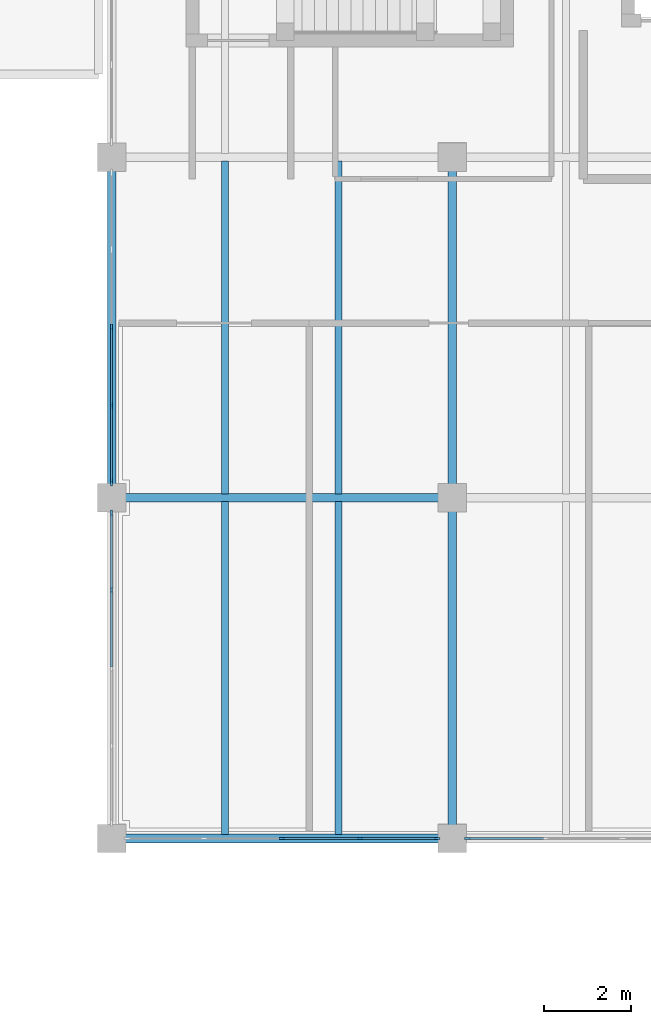
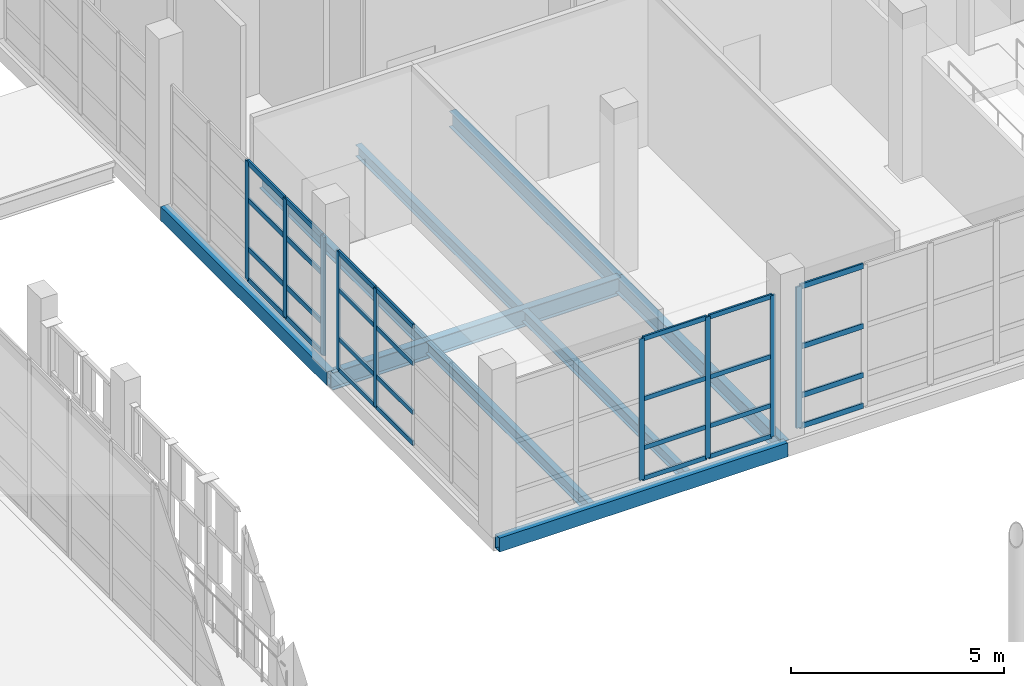
# One storey, part 29 of 138: 37 members, 9 beams, 4 elements without a shape of their own.
"""IFC4 building model written with IfcOpenShell, lengths in metres."""

from ifc_helpers import new_model, si_unit, direction, frame, origin, origin_2d, place, context, subcontext, project, spatial, rectangle, hollow_rectangle, i_section, extrude, material, layer, layer_set, material_profile, profile_set, type_object, element, aggregate, save


model = new_model("IFC4")

# Units and contexts
model_context = context("Model", 3, precision=1e-05, world=origin(), true_north=direction((0.0, 1.0)))
body_context = subcontext(model_context, "Body", "Model", "MODEL_VIEW")
ifc_project = project(units=[si_unit("LENGTHUNIT", "METRE"), si_unit("AREAUNIT", "SQUARE_METRE"), si_unit("VOLUMEUNIT", "CUBIC_METRE"), si_unit("PLANEANGLEUNIT", "RADIAN"), si_unit("MASSUNIT", "GRAM", prefix="KILO")], contexts=[model_context])

# Site, building, storey
site_placement = place(None, origin())
site = spatial("IfcSite", under=ifc_project, at=site_placement, CompositionType="ELEMENT")
building_placement = place(site_placement, origin())
building = spatial("IfcBuilding", under=site, at=building_placement, Name="Celorna Specialist Clinic", CompositionType="ELEMENT")
storey_placement = place(building_placement, frame((0.0, 0.0, 4.800048828125)))
storey = spatial("IfcBuildingStorey", under=building, at=storey_placement, Name="L01", CompositionType="ELEMENT", Elevation=4.800048828125)

# Beams
ifc_material_1 = material(Name="Steel S355", Category="steel")
ifc_material_profile_1 = material_profile(ifc_material_1, i_section(OverallWidth=0.199951171875, OverallDepth=0.5, WebThickness=0.01025390625, FlangeThickness=0.01611328125, at=origin_2d()), Name="IPE 500")
ifc_profile_set_1 = profile_set([ifc_material_profile_1], Name="Steel S355")
beam_type_1 = type_object("IfcBeamType", Name="BM-08", PredefinedType="BEAM", material=ifc_profile_set_1)
beam_1_placement = place(storey_placement, frame((54.60009765625, 27.300048828125, -0.510009765625), z_axis=(1.0, 0.0, 0.0), x_axis=(0.0, 1.0, 0.0)))
element("IfcBeam", 1, at=beam_1_placement, inside=storey, type_object=beam_type_1, Name="Primary girder BM-08 #2068", PredefinedType="BEAM", context=body_context, shape_type="SweptSolid", body=[
    extrude(i_section(OverallWidth=0.199951171875, OverallDepth=0.5, WebThickness=0.01025390625, FlangeThickness=0.01611328125, at=origin_2d()), origin(), (0.0, 0.0, 1.0), 7.7998046875),
])
ifc_material_profile_2 = material_profile(ifc_material_1, i_section(OverallWidth=0.18994140625, OverallDepth=0.449951171875, WebThickness=0.009521484375, FlangeThickness=0.0146484375, at=origin_2d()), Name="IPE 450")
ifc_profile_set_2 = profile_set([ifc_material_profile_2], Name="Steel S355")
beam_type_2 = type_object("IfcBeamType", Name="BM-09", PredefinedType="BEAM", material=ifc_profile_set_2)
for number, where, z_axis, x_axis, name in (
    (2, (62.39990234375, 19.5, -0.485107421875), (0.0, 1.0, 0.0), (-1.0, 0.0, 0.0), "Transverse girder BM-09 #2082"),
    (3, (62.39990234375, 27.300048828125, -0.485107421875), (0.0, 1.0, 0.0), (-1.0, 0.0, 0.0), "Transverse girder BM-09 #2083"),
):
    element("IfcBeam", number, at=place(storey_placement, frame(where, z_axis=z_axis, x_axis=x_axis)), inside=storey, type_object=beam_type_2, Name=name, PredefinedType="BEAM", context=body_context, shape_type="SweptSolid", body=[
        extrude(i_section(OverallWidth=0.18994140625, OverallDepth=0.449951171875, WebThickness=0.009521484375, FlangeThickness=0.0146484375, at=origin_2d()), origin(), (0.0, 0.0, 1.0), 7.800048828125),
    ])
ifc_material_profile_3 = material_profile(ifc_material_1, i_section(OverallWidth=0.159912109375, OverallDepth=0.330078125, WebThickness=0.007568359375, FlangeThickness=0.011474609375, at=origin_2d()), Name="IPE 330")
ifc_profile_set_3 = profile_set([ifc_material_profile_3], Name="Steel S355")
beam_type_3 = type_object("IfcBeamType", Name="BM-12", PredefinedType="JOIST", material=ifc_profile_set_3)
for number, where, z_axis, x_axis, name in (
    (4, (57.199951171875, 19.587890625, -0.425048828125), (0.0, 1.0, 0.0), (-1.0, 0.0, 0.0), "Secondary floor joist BM-12 #2093"),
    (5, (59.800048828125, 19.587890625, -0.425048828125), (0.0, 1.0, 0.0), (-1.0, 0.0, 0.0), "Secondary floor joist BM-12 #2094"),
    (6, (57.199951171875, 27.387939453125, -0.425048828125), (0.0, 1.0, 0.0), (-1.0, 0.0, 0.0), "Secondary floor joist BM-12 #2095"),
    (7, (59.800048828125, 27.387939453125, -0.425048828125), (0.0, 1.0, 0.0), (-1.0, 0.0, 0.0), "Secondary floor joist BM-12 #2096"),
):
    element("IfcBeam", number, at=place(storey_placement, frame(where, z_axis=z_axis, x_axis=x_axis)), inside=storey, type_object=beam_type_3, Name=name, PredefinedType="JOIST", context=body_context, shape_type="SweptSolid", body=[
        extrude(i_section(OverallWidth=0.159912109375, OverallDepth=0.330078125, WebThickness=0.007568359375, FlangeThickness=0.011474609375, at=origin_2d()), origin(), (0.0, 0.0, 1.0), 7.6240234375),
    ])
ifc_material_profile_4 = material_profile(ifc_material_1, hollow_rectangle(XDim=0.199951171875, YDim=0.39990234375, WallThickness=0.011962890625, at=origin_2d()), Name="RHS 200x400x12")
ifc_profile_set_4 = profile_set([ifc_material_profile_4], Name="Steel S355")
beam_type_4 = type_object("IfcBeamType", Name="BM-15", PredefinedType="SPANDREL", material=ifc_profile_set_4)
beam_2_placement = place(storey_placement, frame((54.60009765625, 19.5, -0.4599609375), z_axis=(1.0, 0.0, 0.0), x_axis=(0.0, 1.0, 0.0)))
element("IfcBeam", 8, at=beam_2_placement, inside=storey, type_object=beam_type_4, Name="Spandrel beam BM-15 #2064", PredefinedType="SPANDREL", context=body_context, shape_type="SweptSolid", body=[
    extrude(hollow_rectangle(XDim=0.199951171875, YDim=0.39990234375, WallThickness=0.011962890625, at=origin_2d()), origin(), (0.0, 0.0, 1.0), 7.7998046875),
])
beam_3_placement = place(storey_placement, frame((54.60009765625, 27.300048828125, -0.4599609375), z_axis=(0.0, 1.0, 0.0), x_axis=(-1.0, 0.0, 0.0)))
element("IfcBeam", 9, at=beam_3_placement, inside=storey, type_object=beam_type_4, Name="Spandrel beam BM-15 #2080", PredefinedType="SPANDREL", context=body_context, shape_type="SweptSolid", body=[
    extrude(hollow_rectangle(XDim=0.199951171875, YDim=0.39990234375, WallThickness=0.011962890625, at=origin_2d()), origin(), (0.0, 0.0, 1.0), 7.800048828125),
])

# Curtain wall, member
ifc_material_2 = material(Name="Thermally broken aluminium and solar-control glass curtain wall", Category="aluminium")
ifc_layer_1 = layer(ifc_material_2, 0.159912109375, Name="Thermally broken aluminium and solar-control glass curtain wall")
ifc_layer_set_1 = layer_set([ifc_layer_1], Name="Thermally broken aluminium and solar-control glass curtain wall")
curtain_wall_type_1 = type_object("IfcCurtainWallType", Name="CW-106", PredefinedType="NOTDEFINED", material=ifc_layer_set_1)
curtain_wall_1_placement = place(storey_placement, origin())
curtain_wall_1 = element("IfcCurtainWall", 10, at=curtain_wall_1_placement, inside=storey, type_object=curtain_wall_type_1, Name="Curtain wall CW-106 #187", PredefinedType="NOTDEFINED")
ifc_material_3 = material(Name="Anodized aluminium mullion", Category="aluminium")
ifc_material_profile_5 = material_profile(ifc_material_3, rectangle(XDim=0.050048828125, YDim=0.159912109375, at=origin_2d()), Name="ALU MULLION 50x160")
ifc_profile_set_5 = profile_set([ifc_material_profile_5], Name="Anodized aluminium mullion")
member_type_1 = type_object("IfcMemberType", Name="ML-01", PredefinedType="MULLION", material=ifc_profile_set_5)
member_1_placement = place(storey_placement, frame((62.75390625, 19.5, 0.0), z_axis=(0.0, 0.0, 1.0), x_axis=(0.0, -1.0, 0.0)))
member_1 = element("IfcMember", 11, at=member_1_placement, type_object=member_type_1, Name="CW-106 mullion 5", PredefinedType="MULLION", context=body_context, shape_type="SweptSolid", body=[
    extrude(rectangle(XDim=0.050048828125, YDim=0.159912109375, at=origin_2d()), origin(), (0.0, 0.0, 1.0), 4.0400390625),
])

# Curtain wall, members
ifc_layer_2 = layer(ifc_material_2, 0.159912109375, Name="Thermally broken aluminium and solar-control glass curtain wall")
ifc_layer_set_2 = layer_set([ifc_layer_2], Name="Thermally broken aluminium and solar-control glass curtain wall")
curtain_wall_type_2 = type_object("IfcCurtainWallType", Name="CW-109", PredefinedType="NOTDEFINED", material=ifc_layer_set_2)
curtain_wall_2_placement = place(storey_placement, origin())
curtain_wall_2 = element("IfcCurtainWall", 12, at=curtain_wall_2_placement, inside=storey, type_object=curtain_wall_type_2, Name="Curtain wall CW-109 #191", PredefinedType="NOTDEFINED")
member_2_placement = place(storey_placement, frame((54.60009765625, 27.654052734375, 0.0), z_axis=(0.0, 0.0, 1.0), x_axis=(-1.0, 0.0, 0.0)))
member_2 = element("IfcMember", 13, at=member_2_placement, type_object=member_type_1, Name="CW-109 mullion 1", PredefinedType="MULLION", context=body_context, shape_type="SweptSolid", body=[
    extrude(rectangle(XDim=0.050048828125, YDim=0.159912109375, at=origin_2d()), origin(), (0.0, 0.0, 1.0), 3.389892578125),
])
member_3_placement = place(storey_placement, frame((54.60009765625, 29.41455078125, 0.0), z_axis=(0.0, 0.0, 1.0), x_axis=(-1.0, 0.0, 0.0)))
member_3 = element("IfcMember", 14, at=member_3_placement, type_object=member_type_1, Name="CW-109 mullion 2", PredefinedType="MULLION", context=body_context, shape_type="SweptSolid", body=[
    extrude(rectangle(XDim=0.050048828125, YDim=0.159912109375, at=origin_2d()), origin(), (0.0, 0.0, 1.0), 3.389892578125),
])
member_4_placement = place(storey_placement, frame((54.60009765625, 31.199951171875, 0.0), z_axis=(0.0, 0.0, 1.0), x_axis=(-1.0, 0.0, 0.0)))
member_4 = element("IfcMember", 15, at=member_4_placement, type_object=member_type_1, Name="CW-109 mullion 3", PredefinedType="MULLION", context=body_context, shape_type="SweptSolid", body=[
    extrude(rectangle(XDim=0.050048828125, YDim=0.159912109375, at=origin_2d()), origin(), (0.0, 0.0, 1.0), 3.389892578125),
])

ifc_layer_3 = layer(ifc_material_2, 0.159912109375, Name="Thermally broken aluminium and solar-control glass curtain wall")
ifc_layer_set_3 = layer_set([ifc_layer_3], Name="Thermally broken aluminium and solar-control glass curtain wall")
curtain_wall_type_3 = type_object("IfcCurtainWallType", Name="CW-105", PredefinedType="NOTDEFINED", material=ifc_layer_set_3)
curtain_wall_3_placement = place(storey_placement, origin())
curtain_wall_3 = element("IfcCurtainWall", 16, at=curtain_wall_3_placement, inside=storey, type_object=curtain_wall_type_3, Name="Curtain wall CW-105 #186", PredefinedType="NOTDEFINED")
ifc_material_profile_6 = material_profile(ifc_material_3, rectangle(XDim=0.050048828125, YDim=0.139892578125, at=origin_2d()), Name="ALU MULLION 50x140")
ifc_profile_set_6 = profile_set([ifc_material_profile_6], Name="Anodized aluminium mullion")
member_type_2 = type_object("IfcMemberType", Name="ML-03", PredefinedType="MULLION", material=ifc_profile_set_6)
member_5_placement = place(storey_placement, frame((62.0458984375, 19.5, 0.0), z_axis=(0.0, 0.0, 1.0), x_axis=(0.0, -1.0, 0.0)))
member_5 = element("IfcMember", 17, at=member_5_placement, type_object=member_type_2, Name="CW-105 mullion 1", PredefinedType="MULLION", context=body_context, shape_type="SweptSolid", body=[
    extrude(rectangle(XDim=0.050048828125, YDim=0.139892578125, at=origin_2d()), origin(), (0.0, 0.0, 1.0), 4.0400390625),
])
member_6_placement = place(storey_placement, frame((60.285400390625, 19.5, 0.0), z_axis=(0.0, 0.0, 1.0), x_axis=(0.0, -1.0, 0.0)))
member_6 = element("IfcMember", 18, at=member_6_placement, type_object=member_type_2, Name="CW-105 mullion 2", PredefinedType="MULLION", context=body_context, shape_type="SweptSolid", body=[
    extrude(rectangle(XDim=0.050048828125, YDim=0.139892578125, at=origin_2d()), origin(), (0.0, 0.0, 1.0), 4.0400390625),
])
member_7_placement = place(storey_placement, frame((58.5, 19.5, 0.0), z_axis=(0.0, 0.0, 1.0), x_axis=(0.0, -1.0, 0.0)))
member_7 = element("IfcMember", 19, at=member_7_placement, type_object=member_type_2, Name="CW-105 mullion 3", PredefinedType="MULLION", context=body_context, shape_type="SweptSolid", body=[
    extrude(rectangle(XDim=0.050048828125, YDim=0.139892578125, at=origin_2d()), origin(), (0.0, 0.0, 1.0), 4.0400390625),
])

ifc_layer_4 = layer(ifc_material_2, 0.159912109375, Name="Thermally broken aluminium and solar-control glass curtain wall")
ifc_layer_set_4 = layer_set([ifc_layer_4], Name="Thermally broken aluminium and solar-control glass curtain wall")
curtain_wall_type_4 = type_object("IfcCurtainWallType", Name="CW-108", PredefinedType="NOTDEFINED", material=ifc_layer_set_4)
curtain_wall_4_placement = place(storey_placement, origin())
curtain_wall_4 = element("IfcCurtainWall", 20, at=curtain_wall_4_placement, inside=storey, type_object=curtain_wall_type_4, Name="Curtain wall CW-108 #190", PredefinedType="NOTDEFINED")
member_8_placement = place(storey_placement, frame((54.60009765625, 25.185546875, 0.0), z_axis=(0.0, 0.0, 1.0), x_axis=(-1.0, 0.0, 0.0)))
member_8 = element("IfcMember", 21, at=member_8_placement, type_object=member_type_2, Name="CW-108 mullion 4", PredefinedType="MULLION", context=body_context, shape_type="SweptSolid", body=[
    extrude(rectangle(XDim=0.050048828125, YDim=0.139892578125, at=origin_2d()), origin(), (0.0, 0.0, 1.0), 3.389892578125),
])
member_9_placement = place(storey_placement, frame((54.60009765625, 26.946044921875, 0.0), z_axis=(0.0, 0.0, 1.0), x_axis=(-1.0, 0.0, 0.0)))
member_9 = element("IfcMember", 22, at=member_9_placement, type_object=member_type_2, Name="CW-108 mullion 5", PredefinedType="MULLION", context=body_context, shape_type="SweptSolid", body=[
    extrude(rectangle(XDim=0.050048828125, YDim=0.139892578125, at=origin_2d()), origin(), (0.0, 0.0, 1.0), 3.389892578125),
])

# Member
ifc_material_4 = material(Name="Anodized aluminium transom", Category="aluminium")
ifc_material_profile_7 = material_profile(ifc_material_4, rectangle(XDim=0.050048828125, YDim=0.1298828125, at=origin_2d()), Name="ALU TRANSOM 50x130")
ifc_profile_set_7 = profile_set([ifc_material_profile_7], Name="Anodized aluminium transom")
member_type_3 = type_object("IfcMemberType", Name="TR-01", PredefinedType="USERDEFINED", material=ifc_profile_set_7)
member_10_placement = place(storey_placement, frame((62.02099609375, 19.5, 0.02490234375), z_axis=(-1.0, 0.0, 0.0), x_axis=(0.0, -1.0, 0.0)))
member_10 = element("IfcMember", 23, at=member_10_placement, type_object=member_type_3, Name="CW-105 transom 1.1", ObjectType="TRANSOM", PredefinedType="USERDEFINED", context=body_context, shape_type="SweptSolid", body=[
    extrude(rectangle(XDim=0.050048828125, YDim=0.1298828125, at=origin_2d()), origin(), (0.0, 0.0, 1.0), 1.71044921875),
])

member_11_placement = place(storey_placement, frame((62.02099609375, 19.5, 0.89990234375), z_axis=(-1.0, 0.0, 0.0), x_axis=(0.0, -1.0, 0.0)))
member_11 = element("IfcMember", 24, at=member_11_placement, type_object=member_type_3, Name="CW-105 transom 1.2", ObjectType="TRANSOM", PredefinedType="USERDEFINED", context=body_context, shape_type="SweptSolid", body=[
    extrude(rectangle(XDim=0.050048828125, YDim=0.1298828125, at=origin_2d()), origin(), (0.0, 0.0, 1.0), 1.71044921875),
])

member_12_placement = place(storey_placement, frame((62.02099609375, 19.5, 2.300048828125), z_axis=(-1.0, 0.0, 0.0), x_axis=(0.0, -1.0, 0.0)))
member_12 = element("IfcMember", 25, at=member_12_placement, type_object=member_type_3, Name="CW-105 transom 1.3", ObjectType="TRANSOM", PredefinedType="USERDEFINED", context=body_context, shape_type="SweptSolid", body=[
    extrude(rectangle(XDim=0.050048828125, YDim=0.1298828125, at=origin_2d()), origin(), (0.0, 0.0, 1.0), 1.71044921875),
])

member_13_placement = place(storey_placement, frame((62.02099609375, 19.5, 4.014892578125), z_axis=(-1.0, 0.0, 0.0), x_axis=(0.0, -1.0, 0.0)))
member_13 = element("IfcMember", 26, at=member_13_placement, type_object=member_type_3, Name="CW-105 transom 1.4", ObjectType="TRANSOM", PredefinedType="USERDEFINED", context=body_context, shape_type="SweptSolid", body=[
    extrude(rectangle(XDim=0.050048828125, YDim=0.1298828125, at=origin_2d()), origin(), (0.0, 0.0, 1.0), 1.71044921875),
])

member_14_placement = place(storey_placement, frame((60.260498046875, 19.5, 0.02490234375), z_axis=(-1.0, 0.0, 0.0), x_axis=(0.0, -1.0, 0.0)))
member_14 = element("IfcMember", 27, at=member_14_placement, type_object=member_type_3, Name="CW-105 transom 2.1", ObjectType="TRANSOM", PredefinedType="USERDEFINED", context=body_context, shape_type="SweptSolid", body=[
    extrude(rectangle(XDim=0.050048828125, YDim=0.1298828125, at=origin_2d()), origin(), (0.0, 0.0, 1.0), 1.735595703125),
])

member_15_placement = place(storey_placement, frame((60.260498046875, 19.5, 0.89990234375), z_axis=(-1.0, 0.0, 0.0), x_axis=(0.0, -1.0, 0.0)))
member_15 = element("IfcMember", 28, at=member_15_placement, type_object=member_type_3, Name="CW-105 transom 2.2", ObjectType="TRANSOM", PredefinedType="USERDEFINED", context=body_context, shape_type="SweptSolid", body=[
    extrude(rectangle(XDim=0.050048828125, YDim=0.1298828125, at=origin_2d()), origin(), (0.0, 0.0, 1.0), 1.735595703125),
])

member_16_placement = place(storey_placement, frame((60.260498046875, 19.5, 2.300048828125), z_axis=(-1.0, 0.0, 0.0), x_axis=(0.0, -1.0, 0.0)))
member_16 = element("IfcMember", 29, at=member_16_placement, type_object=member_type_3, Name="CW-105 transom 2.3", ObjectType="TRANSOM", PredefinedType="USERDEFINED", context=body_context, shape_type="SweptSolid", body=[
    extrude(rectangle(XDim=0.050048828125, YDim=0.1298828125, at=origin_2d()), origin(), (0.0, 0.0, 1.0), 1.735595703125),
])

member_17_placement = place(storey_placement, frame((60.260498046875, 19.5, 4.014892578125), z_axis=(-1.0, 0.0, 0.0), x_axis=(0.0, -1.0, 0.0)))
member_17 = element("IfcMember", 30, at=member_17_placement, type_object=member_type_3, Name="CW-105 transom 2.4", ObjectType="TRANSOM", PredefinedType="USERDEFINED", context=body_context, shape_type="SweptSolid", body=[
    extrude(rectangle(XDim=0.050048828125, YDim=0.1298828125, at=origin_2d()), origin(), (0.0, 0.0, 1.0), 1.735595703125),
])

aggregate(curtain_wall_3, [member_5, member_6, member_7, member_10, member_11, member_12, member_13, member_14, member_15, member_16, member_17])

member_18_placement = place(storey_placement, frame((54.60009765625, 23.425048828125, 0.02490234375), z_axis=(0.0, 1.0, 0.0), x_axis=(-1.0, 0.0, 0.0)))
member_18 = element("IfcMember", 31, at=member_18_placement, type_object=member_type_3, Name="CW-108 transom 3.1", ObjectType="TRANSOM", PredefinedType="USERDEFINED", context=body_context, shape_type="SweptSolid", body=[
    extrude(rectangle(XDim=0.050048828125, YDim=0.1298828125, at=origin_2d()), origin(), (0.0, 0.0, 1.0), 1.7353515625),
])

member_19_placement = place(storey_placement, frame((54.60009765625, 23.425048828125, 0.89990234375), z_axis=(0.0, 1.0, 0.0), x_axis=(-1.0, 0.0, 0.0)))
member_19 = element("IfcMember", 32, at=member_19_placement, type_object=member_type_3, Name="CW-108 transom 3.2", ObjectType="TRANSOM", PredefinedType="USERDEFINED", context=body_context, shape_type="SweptSolid", body=[
    extrude(rectangle(XDim=0.050048828125, YDim=0.1298828125, at=origin_2d()), origin(), (0.0, 0.0, 1.0), 1.7353515625),
])

member_20_placement = place(storey_placement, frame((54.60009765625, 23.425048828125, 2.300048828125), z_axis=(0.0, 1.0, 0.0), x_axis=(-1.0, 0.0, 0.0)))
member_20 = element("IfcMember", 33, at=member_20_placement, type_object=member_type_3, Name="CW-108 transom 3.3", ObjectType="TRANSOM", PredefinedType="USERDEFINED", context=body_context, shape_type="SweptSolid", body=[
    extrude(rectangle(XDim=0.050048828125, YDim=0.1298828125, at=origin_2d()), origin(), (0.0, 0.0, 1.0), 1.7353515625),
])

member_21_placement = place(storey_placement, frame((54.60009765625, 23.425048828125, 3.364990234375), z_axis=(0.0, 1.0, 0.0), x_axis=(-1.0, 0.0, 0.0)))
member_21 = element("IfcMember", 34, at=member_21_placement, type_object=member_type_3, Name="CW-108 transom 3.4", ObjectType="TRANSOM", PredefinedType="USERDEFINED", context=body_context, shape_type="SweptSolid", body=[
    extrude(rectangle(XDim=0.050048828125, YDim=0.1298828125, at=origin_2d()), origin(), (0.0, 0.0, 1.0), 1.7353515625),
])

member_22_placement = place(storey_placement, frame((54.60009765625, 25.21044921875, 0.02490234375), z_axis=(0.0, 1.0, 0.0), x_axis=(-1.0, 0.0, 0.0)))
member_22 = element("IfcMember", 35, at=member_22_placement, type_object=member_type_3, Name="CW-108 transom 4.1", ObjectType="TRANSOM", PredefinedType="USERDEFINED", context=body_context, shape_type="SweptSolid", body=[
    extrude(rectangle(XDim=0.050048828125, YDim=0.1298828125, at=origin_2d()), origin(), (0.0, 0.0, 1.0), 1.71044921875),
])

member_23_placement = place(storey_placement, frame((54.60009765625, 25.21044921875, 0.89990234375), z_axis=(0.0, 1.0, 0.0), x_axis=(-1.0, 0.0, 0.0)))
member_23 = element("IfcMember", 36, at=member_23_placement, type_object=member_type_3, Name="CW-108 transom 4.2", ObjectType="TRANSOM", PredefinedType="USERDEFINED", context=body_context, shape_type="SweptSolid", body=[
    extrude(rectangle(XDim=0.050048828125, YDim=0.1298828125, at=origin_2d()), origin(), (0.0, 0.0, 1.0), 1.71044921875),
])

member_24_placement = place(storey_placement, frame((54.60009765625, 25.21044921875, 2.300048828125), z_axis=(0.0, 1.0, 0.0), x_axis=(-1.0, 0.0, 0.0)))
member_24 = element("IfcMember", 37, at=member_24_placement, type_object=member_type_3, Name="CW-108 transom 4.3", ObjectType="TRANSOM", PredefinedType="USERDEFINED", context=body_context, shape_type="SweptSolid", body=[
    extrude(rectangle(XDim=0.050048828125, YDim=0.1298828125, at=origin_2d()), origin(), (0.0, 0.0, 1.0), 1.71044921875),
])

member_25_placement = place(storey_placement, frame((54.60009765625, 25.21044921875, 3.364990234375), z_axis=(0.0, 1.0, 0.0), x_axis=(-1.0, 0.0, 0.0)))
member_25 = element("IfcMember", 38, at=member_25_placement, type_object=member_type_3, Name="CW-108 transom 4.4", ObjectType="TRANSOM", PredefinedType="USERDEFINED", context=body_context, shape_type="SweptSolid", body=[
    extrude(rectangle(XDim=0.050048828125, YDim=0.1298828125, at=origin_2d()), origin(), (0.0, 0.0, 1.0), 1.71044921875),
])

aggregate(curtain_wall_4, [member_8, member_9, member_18, member_19, member_20, member_21, member_22, member_23, member_24, member_25])

ifc_material_profile_8 = material_profile(ifc_material_4, rectangle(XDim=0.050048828125, YDim=0.14990234375, at=origin_2d()), Name="ALU TRANSOM 50x150")
ifc_profile_set_8 = profile_set([ifc_material_profile_8], Name="Anodized aluminium transom")
member_type_4 = type_object("IfcMemberType", Name="TR-02", PredefinedType="USERDEFINED", material=ifc_profile_set_8)
member_26_placement = place(storey_placement, frame((64.489501953125, 19.5, 0.02490234375), z_axis=(-1.0, 0.0, 0.0), x_axis=(0.0, -1.0, 0.0)))
member_26 = element("IfcMember", 39, at=member_26_placement, type_object=member_type_4, Name="CW-106 transom 4.1", ObjectType="TRANSOM", PredefinedType="USERDEFINED", context=body_context, shape_type="SweptSolid", body=[
    extrude(rectangle(XDim=0.050048828125, YDim=0.14990234375, at=origin_2d()), origin(), (0.0, 0.0, 1.0), 1.71044921875),
])

member_27_placement = place(storey_placement, frame((64.489501953125, 19.5, 0.89990234375), z_axis=(-1.0, 0.0, 0.0), x_axis=(0.0, -1.0, 0.0)))
member_27 = element("IfcMember", 40, at=member_27_placement, type_object=member_type_4, Name="CW-106 transom 4.2", ObjectType="TRANSOM", PredefinedType="USERDEFINED", context=body_context, shape_type="SweptSolid", body=[
    extrude(rectangle(XDim=0.050048828125, YDim=0.14990234375, at=origin_2d()), origin(), (0.0, 0.0, 1.0), 1.71044921875),
])

member_28_placement = place(storey_placement, frame((64.489501953125, 19.5, 2.300048828125), z_axis=(-1.0, 0.0, 0.0), x_axis=(0.0, -1.0, 0.0)))
member_28 = element("IfcMember", 41, at=member_28_placement, type_object=member_type_4, Name="CW-106 transom 4.3", ObjectType="TRANSOM", PredefinedType="USERDEFINED", context=body_context, shape_type="SweptSolid", body=[
    extrude(rectangle(XDim=0.050048828125, YDim=0.14990234375, at=origin_2d()), origin(), (0.0, 0.0, 1.0), 1.71044921875),
])

member_29_placement = place(storey_placement, frame((64.489501953125, 19.5, 4.014892578125), z_axis=(-1.0, 0.0, 0.0), x_axis=(0.0, -1.0, 0.0)))
member_29 = element("IfcMember", 42, at=member_29_placement, type_object=member_type_4, Name="CW-106 transom 4.4", ObjectType="TRANSOM", PredefinedType="USERDEFINED", context=body_context, shape_type="SweptSolid", body=[
    extrude(rectangle(XDim=0.050048828125, YDim=0.14990234375, at=origin_2d()), origin(), (0.0, 0.0, 1.0), 1.71044921875),
])

aggregate(curtain_wall_1, [member_1, member_26, member_27, member_28, member_29])

member_30_placement = place(storey_placement, frame((54.60009765625, 27.678955078125, 0.02490234375), z_axis=(0.0, 1.0, 0.0), x_axis=(-1.0, 0.0, 0.0)))
member_30 = element("IfcMember", 43, at=member_30_placement, type_object=member_type_4, Name="CW-109 transom 1.1", ObjectType="TRANSOM", PredefinedType="USERDEFINED", context=body_context, shape_type="SweptSolid", body=[
    extrude(rectangle(XDim=0.050048828125, YDim=0.14990234375, at=origin_2d()), origin(), (0.0, 0.0, 1.0), 1.71044921875),
])

member_31_placement = place(storey_placement, frame((54.60009765625, 27.678955078125, 0.89990234375), z_axis=(0.0, 1.0, 0.0), x_axis=(-1.0, 0.0, 0.0)))
member_31 = element("IfcMember", 44, at=member_31_placement, type_object=member_type_4, Name="CW-109 transom 1.2", ObjectType="TRANSOM", PredefinedType="USERDEFINED", context=body_context, shape_type="SweptSolid", body=[
    extrude(rectangle(XDim=0.050048828125, YDim=0.14990234375, at=origin_2d()), origin(), (0.0, 0.0, 1.0), 1.71044921875),
])

member_32_placement = place(storey_placement, frame((54.60009765625, 27.678955078125, 2.300048828125), z_axis=(0.0, 1.0, 0.0), x_axis=(-1.0, 0.0, 0.0)))
member_32 = element("IfcMember", 45, at=member_32_placement, type_object=member_type_4, Name="CW-109 transom 1.3", ObjectType="TRANSOM", PredefinedType="USERDEFINED", context=body_context, shape_type="SweptSolid", body=[
    extrude(rectangle(XDim=0.050048828125, YDim=0.14990234375, at=origin_2d()), origin(), (0.0, 0.0, 1.0), 1.71044921875),
])

member_33_placement = place(storey_placement, frame((54.60009765625, 27.678955078125, 3.364990234375), z_axis=(0.0, 1.0, 0.0), x_axis=(-1.0, 0.0, 0.0)))
member_33 = element("IfcMember", 46, at=member_33_placement, type_object=member_type_4, Name="CW-109 transom 1.4", ObjectType="TRANSOM", PredefinedType="USERDEFINED", context=body_context, shape_type="SweptSolid", body=[
    extrude(rectangle(XDim=0.050048828125, YDim=0.14990234375, at=origin_2d()), origin(), (0.0, 0.0, 1.0), 1.71044921875),
])

member_34_placement = place(storey_placement, frame((54.60009765625, 29.439453125, 0.02490234375), z_axis=(0.0, 1.0, 0.0), x_axis=(-1.0, 0.0, 0.0)))
member_34 = element("IfcMember", 47, at=member_34_placement, type_object=member_type_4, Name="CW-109 transom 2.1", ObjectType="TRANSOM", PredefinedType="USERDEFINED", context=body_context, shape_type="SweptSolid", body=[
    extrude(rectangle(XDim=0.050048828125, YDim=0.14990234375, at=origin_2d()), origin(), (0.0, 0.0, 1.0), 1.735595703125),
])

member_35_placement = place(storey_placement, frame((54.60009765625, 29.439453125, 0.89990234375), z_axis=(0.0, 1.0, 0.0), x_axis=(-1.0, 0.0, 0.0)))
member_35 = element("IfcMember", 48, at=member_35_placement, type_object=member_type_4, Name="CW-109 transom 2.2", ObjectType="TRANSOM", PredefinedType="USERDEFINED", context=body_context, shape_type="SweptSolid", body=[
    extrude(rectangle(XDim=0.050048828125, YDim=0.14990234375, at=origin_2d()), origin(), (0.0, 0.0, 1.0), 1.735595703125),
])

member_36_placement = place(storey_placement, frame((54.60009765625, 29.439453125, 2.300048828125), z_axis=(0.0, 1.0, 0.0), x_axis=(-1.0, 0.0, 0.0)))
member_36 = element("IfcMember", 49, at=member_36_placement, type_object=member_type_4, Name="CW-109 transom 2.3", ObjectType="TRANSOM", PredefinedType="USERDEFINED", context=body_context, shape_type="SweptSolid", body=[
    extrude(rectangle(XDim=0.050048828125, YDim=0.14990234375, at=origin_2d()), origin(), (0.0, 0.0, 1.0), 1.735595703125),
])

member_37_placement = place(storey_placement, frame((54.60009765625, 29.439453125, 3.364990234375), z_axis=(0.0, 1.0, 0.0), x_axis=(-1.0, 0.0, 0.0)))
member_37 = element("IfcMember", 50, at=member_37_placement, type_object=member_type_4, Name="CW-109 transom 2.4", ObjectType="TRANSOM", PredefinedType="USERDEFINED", context=body_context, shape_type="SweptSolid", body=[
    extrude(rectangle(XDim=0.050048828125, YDim=0.14990234375, at=origin_2d()), origin(), (0.0, 0.0, 1.0), 1.735595703125),
])

aggregate(curtain_wall_2, [member_2, member_3, member_4, member_30, member_31, member_32, member_33, member_34, member_35, member_36, member_37])

save(model, "model.ifc")
